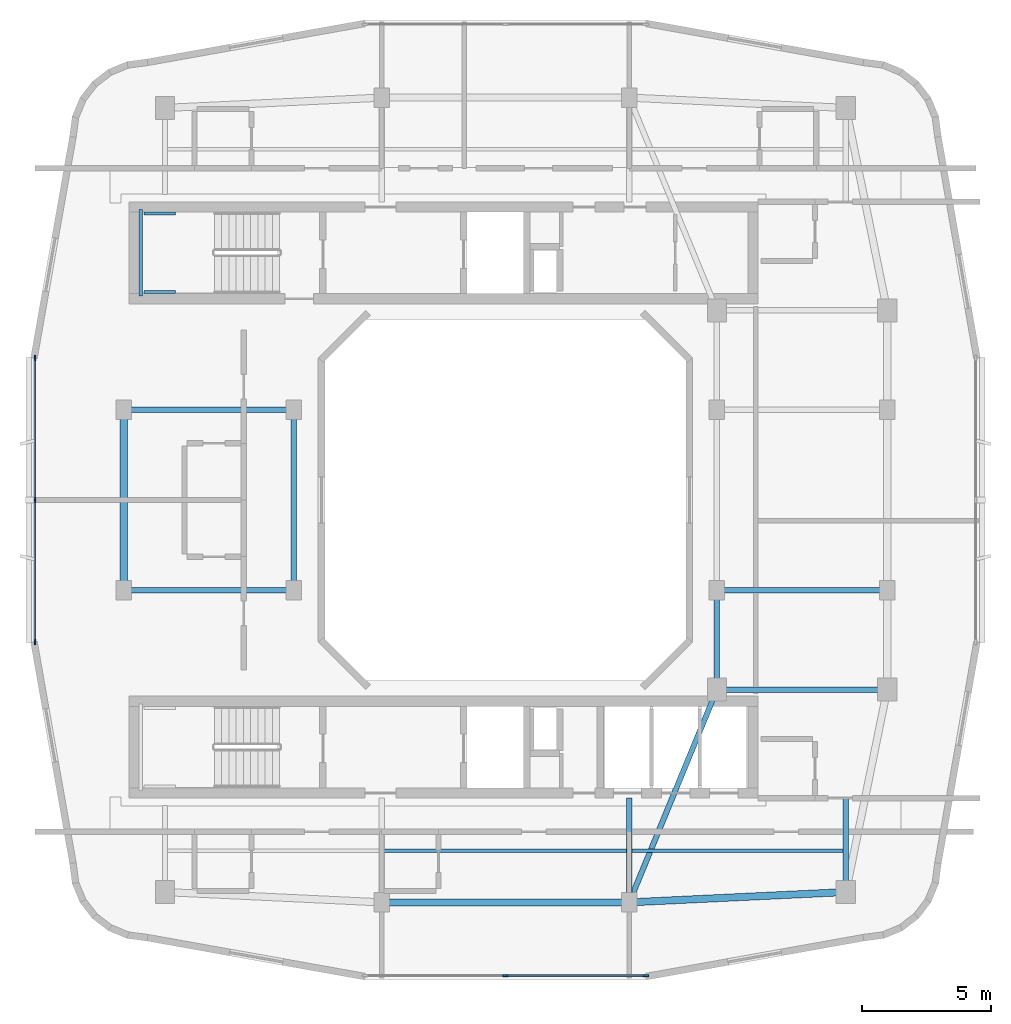
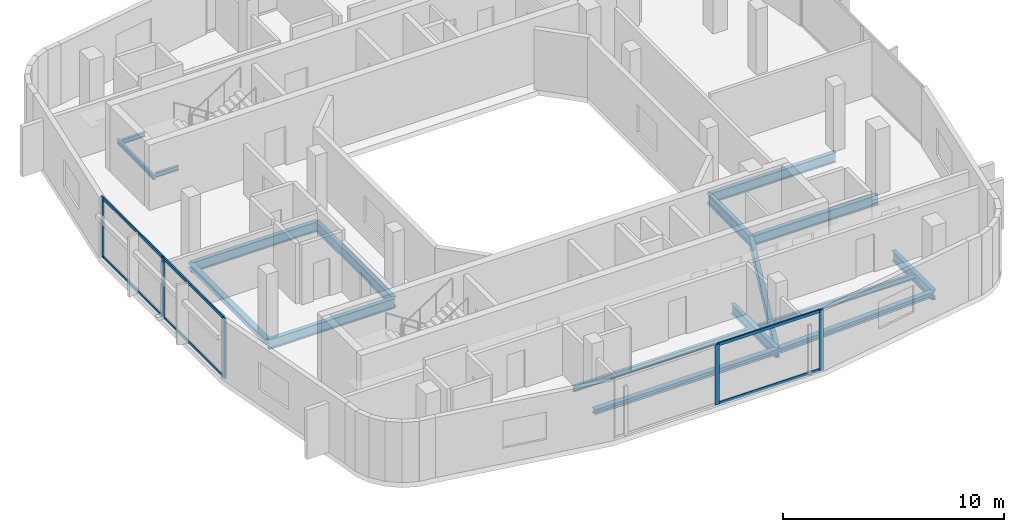
# One storey, part 2 of 10: 17 beams, 11 members, 2 elements without a shape of their own.
"""IFC4 building model written with IfcOpenShell, lengths in metres."""

import ifcopenshell
import ifcopenshell.guid

model = None  # the IFC model being written
_history = None  # IfcOwnerHistory: only IFC2X3 demands one
_inside = {}  # id of a spatial element -> (the spatial element, [elements in it])
_under = {}  # id of a project, library or spatial element -> (it, [spatial elements below it])
_declared = {}  # id of a project -> (the project, [libraries it declares])
_typed = {}  # id of a type object -> (the type object, [elements of that type])
_made_of = {}  # id of a material, layer set ... -> (it, [elements and type objects made of it])


def new_model(schema):
    """Start an empty IFC model of exactly this schema.

    Asked for "IFC4X3", IfcOpenShell would pick the latest addendum, in which some entities
    have other attributes; the version numbers below select the first issue.
    IFC2X3 requires an IfcOwnerHistory on every rooted entity: one is made here for all.
    """
    global model, _history
    if schema == "IFC4X3":
        model = ifcopenshell.file(schema_version=(4, 3, 0, 0))
    else:
        model = ifcopenshell.file(schema=schema)
    _inside.clear()
    _under.clear()
    _declared.clear()
    _typed.clear()
    _made_of.clear()
    _history = None
    if model.schema == "IFC2X3":
        org = make("IfcOrganization", Name="unknown")
        user = make(
            "IfcPersonAndOrganization",
            ThePerson=make("IfcPerson", FamilyName="unknown"),
            TheOrganization=org,
        )
        app = make(
            "IfcApplication",
            ApplicationDeveloper=org,
            Version="unknown",
            ApplicationFullName="unknown",
            ApplicationIdentifier="unknown",
        )
        _history = make(
            "IfcOwnerHistory",
            OwningUser=user,
            OwningApplication=app,
            ChangeAction="ADDED",
            CreationDate=0,
        )
    return model


def make(cls, **values):
    """One entity of the class cls with the attributes given. An attribute that is None is left unset."""
    return model.create_entity(
        cls, **{name: value for name, value in values.items() if value is not None}
    )


def rooted(cls, **values):
    """An entity with a GlobalId (a new one), such as an element, a storey or a relation."""
    return make(cls, GlobalId=ifcopenshell.guid.new(), OwnerHistory=_history, **values)


def si_unit(unit_type, name, prefix=None):
    """IfcSIUnit, for example si_unit("LENGTHUNIT", "METRE", prefix="MILLI")."""
    return make("IfcSIUnit", UnitType=unit_type, Prefix=prefix, Name=name)


def derived_unit(unit_type, elements):
    """IfcDerivedUnit: a product of units, each with its exponent."""
    return make(
        "IfcDerivedUnit",
        Elements=[
            make("IfcDerivedUnitElement", Unit=unit, Exponent=power)
            for unit, power in elements
        ],
        UnitType=unit_type,
    )


def assignment(units):
    """IfcUnitAssignment: the units of a project."""
    return None if units is None else make("IfcUnitAssignment", Units=units)


def point(xyz):
    """IfcCartesianPoint."""
    return None if xyz is None else make("IfcCartesianPoint", Coordinates=xyz)


def direction(xyz):
    """IfcDirection."""
    return None if xyz is None else make("IfcDirection", DirectionRatios=xyz)


def frame(location, z_axis=None, x_axis=None):
    """IfcAxis2Placement3D, a coordinate frame: its origin and axes. An axis left out is left unset."""
    return make(
        "IfcAxis2Placement3D",
        Location=point(location),
        Axis=direction(z_axis),
        RefDirection=direction(x_axis),
    )


def frame_2d(location, x_axis=None):
    """IfcAxis2Placement2D, a coordinate frame in the plane: its origin and x axis."""
    return make(
        "IfcAxis2Placement2D", Location=point(location), RefDirection=direction(x_axis)
    )


def origin():
    """The frame at (0, 0, 0) with its axes left unset."""
    return frame((0.0, 0.0, 0.0))


def origin_2d():
    """The frame at (0, 0) in the plane with its x axis left unset."""
    return frame_2d((0.0, 0.0))


def place(relative_to, where):
    """IfcLocalPlacement: puts the frame where relative to a parent placement (None: the world)."""
    return make(
        "IfcLocalPlacement", PlacementRelTo=relative_to, RelativePlacement=where
    )


def context(
    kind, dimensions, precision=None, world=None, true_north=None, identifier=None
):
    """IfcGeometricRepresentationContext, for example the 3D "Model" context."""
    return make(
        "IfcGeometricRepresentationContext",
        ContextIdentifier=identifier,
        ContextType=kind,
        CoordinateSpaceDimension=dimensions,
        Precision=precision,
        WorldCoordinateSystem=world,
        TrueNorth=true_north,
    )


def subcontext(parent, identifier, kind, view, scale=None):
    """IfcGeometricRepresentationSubContext, for example "Body" below "Model"."""
    return make(
        "IfcGeometricRepresentationSubContext",
        ContextIdentifier=identifier,
        ContextType=kind,
        ParentContext=parent,
        TargetScale=scale,
        TargetView=view,
    )


def project(units=None, contexts=None):
    """IfcProject with its units and contexts."""
    return rooted(
        "IfcProject",
        Name="project",
        RepresentationContexts=contexts,
        UnitsInContext=assignment(units),
    )


def spatial(cls, under=None, at=None, **own):
    """A site, building, storey or space (cls), placed at a placement, below another one or the project."""
    s = rooted(cls, ObjectPlacement=at, **own)
    if under is not None:
        _under.setdefault(under.id(), (under, []))[1].append(s)
    return s


def profile(cls, at=None, kind="AREA", **sizes):
    """A parametric profile (cls). Its sizes go by their IFC names, for example OverallWidth=200.0."""
    return make(cls, ProfileType=kind, Position=at, **sizes)


def rectangle(**sizes):
    """IfcRectangleProfileDef."""
    return profile("IfcRectangleProfileDef", **sizes)


def i_section(**sizes):
    """IfcIShapeProfileDef."""
    return profile("IfcIShapeProfileDef", **sizes)


def extrude(swept, where, along, depth):
    """IfcExtrudedAreaSolid: the profile swept, set in the frame where, extruded along a direction by depth."""
    return make(
        "IfcExtrudedAreaSolid",
        SweptArea=swept,
        Position=where,
        ExtrudedDirection=direction(along),
        Depth=depth,
    )


def shape(context_of_items, identifier, shape_type, items):
    """IfcShapeRepresentation: the items that make up one representation, for example the "Body"."""
    return make(
        "IfcShapeRepresentation",
        ContextOfItems=context_of_items,
        RepresentationIdentifier=identifier,
        RepresentationType=shape_type,
        Items=items,
    )


def material(Name=None, Category=None):
    """IfcMaterial."""
    return make("IfcMaterial", Name=Name, Category=Category)


def layer(
    of_material, thickness, ventilated=None, Name=None, Category=None, Priority=None
):
    """IfcMaterialLayer: one layer of a wall or slab, of a material (None: an air gap)."""
    return make(
        "IfcMaterialLayer",
        Material=of_material,
        LayerThickness=thickness,
        IsVentilated=ventilated,
        Name=Name,
        Category=Category,
        Priority=Priority,
    )


def layer_set(layers, Name=None):
    """IfcMaterialLayerSet."""
    return make("IfcMaterialLayerSet", MaterialLayers=layers, LayerSetName=Name)


def material_profile(
    of_material, cross_section, Name=None, Category=None, Priority=None
):
    """IfcMaterialProfile: a cross section and its material."""
    return make(
        "IfcMaterialProfile",
        Name=Name,
        Material=of_material,
        Profile=cross_section,
        Priority=Priority,
        Category=Category,
    )


def profile_set(profiles, Name=None, composite=None):
    """IfcMaterialProfileSet."""
    return make(
        "IfcMaterialProfileSet",
        Name=Name,
        MaterialProfiles=profiles,
        CompositeProfile=composite,
    )


def made_of(thing, what):
    """Note that an element or type object is made of a material, layer set ...; save() writes the relation."""
    if what is not None:
        _made_of.setdefault(what.id(), (what, []))[1].append(thing)
    return thing


def type_object(cls, material=None, **own):
    """A type object (cls), such as IfcWallType, which elements share."""
    return made_of(rooted(cls, **own), material)


def element(
    cls,
    number,
    at=None,
    inside=None,
    cuts=None,
    type_object=None,
    material=None,
    context=None,
    identifier="Body",
    shape_type=None,
    held_by="IfcProductDefinitionShape",
    body=None,
    shapes=None,
    **own,
):
    """One element of the class cls, such as IfcWall. Its Tag is "e" and its number.

    at: its placement. inside: the storey or other place that contains it. cuts: it is an
    opening in that element (IfcRelVoidsElement). A single representation is given by context,
    identifier, shape_type and body (its items); several are given by shapes. held_by: the class
    of the entity that holds the representations. save() writes the other relations.
    """
    e = rooted(cls, Tag="e%d" % number, ObjectPlacement=at, **own)
    if body is not None:
        shapes = [shape(context, identifier, shape_type, body)]
    if shapes is not None:
        e.Representation = make(held_by, Representations=shapes)
    if inside is not None:
        _inside.setdefault(inside.id(), (inside, []))[1].append(e)
    if cuts is not None:
        rooted(
            "IfcRelVoidsElement", RelatingBuildingElement=cuts, RelatedOpeningElement=e
        )
    if type_object is not None:
        _typed.setdefault(type_object.id(), (type_object, []))[1].append(e)
    return made_of(e, material)


def aggregate(whole, parts):
    """IfcRelAggregates: a whole, such as a stair, and the parts it consists of."""
    return rooted("IfcRelAggregates", RelatingObject=whole, RelatedObjects=parts)


def save(model, path):
    """Write the relations noted so far, then the file.

    IfcRelAggregates (storeys below a building ...), IfcRelContainedInSpatialStructure (elements
    in a storey), IfcRelDefinesByType, IfcRelAssociatesMaterial and IfcRelDeclares: one each for
    every whole, place, type object, material and project.
    """
    for whole, parts in _under.values():
        aggregate(whole, parts)
    for where, things in _inside.values():
        rooted(
            "IfcRelContainedInSpatialStructure",
            RelatedElements=things,
            RelatingStructure=where,
        )
    for kind, things in _typed.values():
        rooted("IfcRelDefinesByType", RelatedObjects=things, RelatingType=kind)
    for what, things in _made_of.values():
        rooted("IfcRelAssociatesMaterial", RelatedObjects=things, RelatingMaterial=what)
    for by, libraries in _declared.values():
        rooted("IfcRelDeclares", RelatingContext=by, RelatedDefinitions=libraries)
    model.write(path)


model = new_model("IFC4")

# Units and contexts
model_context = context("Model", 3, precision=1e-05, world=origin(), true_north=direction((0.0, 1.0)))
body_context = subcontext(model_context, "Body", "Model", "MODEL_VIEW")
ifc_project = project(units=[si_unit("LENGTHUNIT", "METRE"), si_unit("AREAUNIT", "SQUARE_METRE"), si_unit("VOLUMEUNIT", "CUBIC_METRE"), si_unit("PLANEANGLEUNIT", "RADIAN"), si_unit("MASSUNIT", "GRAM", prefix="KILO"), derived_unit("THERMALTRANSMITTANCEUNIT", [(si_unit("POWERUNIT", "WATT"), 1), (si_unit("LENGTHUNIT", "METRE"), -2), (si_unit("THERMODYNAMICTEMPERATUREUNIT", "KELVIN"), -1)])], contexts=[model_context])

# Site, building, storey
site_placement = place(None, origin())
site = spatial("IfcSite", under=ifc_project, at=site_placement, CompositionType="ELEMENT")
building_placement = place(site_placement, origin())
building = spatial("IfcBuilding", under=site, at=building_placement, Name="Kivonza Crest Hotel", CompositionType="ELEMENT")
storey_placement = place(building_placement, frame((0.0, 0.0, 246.800048828125)))
storey = spatial("IfcBuildingStorey", under=building, at=storey_placement, Name="L67", CompositionType="ELEMENT", Elevation=246.800048828125)

# Beams
ifc_material_1 = material(Name="Steel S355", Category="steel")
ifc_material_profile_1 = material_profile(ifc_material_1, i_section(OverallWidth=0.280029296875, OverallDepth=0.280029296875, WebThickness=0.010498046875, FlangeThickness=0.01806640625, FilletRadius=0.02392578125, at=origin_2d()), Name="HEB 280")
ifc_profile_set_1 = profile_set([ifc_material_profile_1], Name="Steel S355")
beam_type_1 = type_object("IfcBeamType", Name="BM-HEB280", PredefinedType="SPANDREL", material=ifc_profile_set_1)
beam_1_placement = place(storey_placement, frame((16.199951171875, 9.39990234375, -0.420166015625), z_axis=(1.0, 0.0, 0.0), x_axis=(0.0, 1.0, 0.0)))
element("IfcBeam", 1, at=beam_1_placement, inside=storey, type_object=beam_type_1, Name="Tower T1 L67 perimeter spandrel S1-S2", PredefinedType="SPANDREL", context=body_context, shape_type="SweptSolid", body=[
    extrude(i_section(OverallWidth=0.280029296875, OverallDepth=0.280029296875, WebThickness=0.010498046875, FlangeThickness=0.01806640625, FilletRadius=0.02392578125, at=origin_2d()), origin(), (0.0, 0.0, 1.0), 9.60009765625),
])
beam_2_placement = place(storey_placement, frame((25.800048828125, 9.39990234375, -0.420166015625), z_axis=(0.998867283688, 0.047583080799, 0.0), x_axis=(-0.047583080799, 0.998867283688, 0.0)))
element("IfcBeam", 2, at=beam_2_placement, inside=storey, type_object=beam_type_1, Name="Tower T1 L67 perimeter spandrel S2-SE", PredefinedType="SPANDREL", context=body_context, shape_type="SweptSolid", body=[
    extrude(i_section(OverallWidth=0.280029296875, OverallDepth=0.280029296875, WebThickness=0.010498046875, FlangeThickness=0.01806640625, FilletRadius=0.02392578125, at=origin_2d()), origin(), (0.0, 0.0, 1.0), 8.409423828125),
])
beam_3_placement = place(storey_placement, frame((6.199951171875, 28.5, -0.420166015625), z_axis=(0.0, -1.0, 0.0), x_axis=(1.0, 0.0, 0.0)))
element("IfcBeam", 3, at=beam_3_placement, inside=storey, type_object=beam_type_1, Name="Tower T1 L67 perimeter spandrel W2-W1", PredefinedType="SPANDREL", context=body_context, shape_type="SweptSolid", body=[
    extrude(i_section(OverallWidth=0.280029296875, OverallDepth=0.280029296875, WebThickness=0.010498046875, FlangeThickness=0.01806640625, FilletRadius=0.02392578125, at=origin_2d()), origin(), (0.0, 0.0, 1.0), 7.0),
])
ifc_material_profile_2 = material_profile(ifc_material_1, i_section(OverallWidth=0.14990234375, OverallDepth=0.300048828125, WebThickness=0.007080078125, FlangeThickness=0.0107421875, FilletRadius=0.014892578125, at=origin_2d()), Name="IPE 300")
ifc_profile_set_2 = profile_set([ifc_material_profile_2], Name="Steel S355")
beam_type_2 = type_object("IfcBeamType", Name="BM-IPE300", PredefinedType="JOIST", material=ifc_profile_set_2)
beam_4_placement = place(storey_placement, frame((16.280029296875, 11.39990234375, -0.429931640625), z_axis=(1.0, 0.0, 0.0), x_axis=(0.0, 1.0, 0.0)))
element("IfcBeam", 4, at=beam_4_placement, inside=storey, type_object=beam_type_2, Name="Tower T1 L67 South-Mid floor joist", PredefinedType="JOIST", context=body_context, shape_type="SweptSolid", body=[
    extrude(i_section(OverallWidth=0.14990234375, OverallDepth=0.300048828125, WebThickness=0.007080078125, FlangeThickness=0.0107421875, FilletRadius=0.014892578125, at=origin_2d()), origin(), (0.0, 0.0, 1.0), 9.43994140625),
])
beam_5_placement = place(storey_placement, frame((25.8798828125, 11.39990234375, -0.429931640625), z_axis=(1.0, 0.0, 0.0), x_axis=(0.0, 1.0, 0.0)))
element("IfcBeam", 5, at=beam_5_placement, inside=storey, type_object=beam_type_2, Name="Tower T1 L67 South-East floor joist", PredefinedType="JOIST", context=body_context, shape_type="SweptSolid", body=[
    extrude(i_section(OverallWidth=0.14990234375, OverallDepth=0.300048828125, WebThickness=0.007080078125, FlangeThickness=0.0107421875, FilletRadius=0.014892578125, at=origin_2d()), origin(), (0.0, 0.0, 1.0), 8.240234375),
])
ifc_material_profile_3 = material_profile(ifc_material_1, i_section(OverallWidth=0.2099609375, OverallDepth=0.550048828125, WebThickness=0.010986328125, FlangeThickness=0.01708984375, FilletRadius=0.02392578125, at=origin_2d()), Name="IPE 550")
ifc_profile_set_3 = profile_set([ifc_material_profile_3], Name="Steel S355")
beam_type_3 = type_object("IfcBeamType", Name="BM-IPE550", PredefinedType="BEAM", material=ifc_profile_set_3)
for number, where, z_axis, x_axis, name in (
    (6, (6.199951171875, 21.5, -0.554931640625), (1.0, 0.0, 0.0), (0.0, 1.0, 0.0), "Tower T1 L67 primary girder W1-WL1"),
    (7, (6.199951171875, 28.5, -0.554931640625), (1.0, 0.0, 0.0), (0.0, 1.0, 0.0), "Tower T1 L67 primary girder W2-WL2"),
):
    element("IfcBeam", number, at=place(storey_placement, frame(where, z_axis=z_axis, x_axis=x_axis)), inside=storey, type_object=beam_type_3, Name=name, PredefinedType="BEAM", context=body_context, shape_type="SweptSolid", body=[
        extrude(i_section(OverallWidth=0.2099609375, OverallDepth=0.550048828125, WebThickness=0.010986328125, FlangeThickness=0.01708984375, FilletRadius=0.02392578125, at=origin_2d()), origin(), (0.0, 0.0, 1.0), 6.60009765625),
    ])
beam_6_placement = place(storey_placement, frame((12.800048828125, 21.5, -0.554931640625), z_axis=(0.0, 1.0, 0.0), x_axis=(-1.0, 0.0, 0.0)))
element("IfcBeam", 8, at=beam_6_placement, inside=storey, type_object=beam_type_3, Name="Tower T1 L67 primary girder WL1-WL2", PredefinedType="BEAM", context=body_context, shape_type="SweptSolid", body=[
    extrude(i_section(OverallWidth=0.2099609375, OverallDepth=0.550048828125, WebThickness=0.010986328125, FlangeThickness=0.01708984375, FilletRadius=0.02392578125, at=origin_2d()), origin(), (0.0, 0.0, 1.0), 7.0),
])
beam_7_placement = place(storey_placement, frame((25.800048828125, 9.39990234375, -0.554931640625), z_axis=(0.381022260404, 0.924565864109, 0.0), x_axis=(-0.924565864109, 0.381022260404, 0.0)))
element("IfcBeam", 9, at=beam_7_placement, inside=storey, type_object=beam_type_3, Name="Tower T1 L67 primary girder S1-TSE", PredefinedType="BEAM", context=body_context, shape_type="SweptSolid", body=[
    extrude(i_section(OverallWidth=0.2099609375, OverallDepth=0.550048828125, WebThickness=0.010986328125, FlangeThickness=0.01708984375, FilletRadius=0.02392578125, at=origin_2d()), origin(), (0.0, 0.0, 1.0), 8.923095703125),
])
beam_8_placement = place(storey_placement, frame((29.199951171875, 17.64990234375, -0.554931640625), z_axis=(1.0, 0.0, 0.0), x_axis=(0.0, 1.0, 0.0)))
element("IfcBeam", 10, at=beam_8_placement, inside=storey, type_object=beam_type_3, Name="Tower T1 L67 primary girder TSE-PSE", PredefinedType="BEAM", context=body_context, shape_type="SweptSolid", body=[
    extrude(i_section(OverallWidth=0.2099609375, OverallDepth=0.550048828125, WebThickness=0.010986328125, FlangeThickness=0.01708984375, FilletRadius=0.02392578125, at=origin_2d()), origin(), (0.0, 0.0, 1.0), 6.60009765625),
])
beam_9_placement = place(storey_placement, frame((29.199951171875, 17.64990234375, -0.554931640625), z_axis=(0.0, 1.0, 0.0), x_axis=(-1.0, 0.0, 0.0)))
element("IfcBeam", 11, at=beam_9_placement, inside=storey, type_object=beam_type_3, Name="Tower T1 L67 primary girder TSE-WR1", PredefinedType="BEAM", context=body_context, shape_type="SweptSolid", body=[
    extrude(i_section(OverallWidth=0.2099609375, OverallDepth=0.550048828125, WebThickness=0.010986328125, FlangeThickness=0.01708984375, FilletRadius=0.02392578125, at=origin_2d()), origin(), (0.0, 0.0, 1.0), 3.85009765625),
])
beam_10_placement = place(storey_placement, frame((29.199951171875, 21.5, -0.554931640625), z_axis=(1.0, 0.0, 0.0), x_axis=(0.0, 1.0, 0.0)))
element("IfcBeam", 12, at=beam_10_placement, inside=storey, type_object=beam_type_3, Name="Tower T1 L67 primary girder WR1-E1", PredefinedType="BEAM", context=body_context, shape_type="SweptSolid", body=[
    extrude(i_section(OverallWidth=0.2099609375, OverallDepth=0.550048828125, WebThickness=0.010986328125, FlangeThickness=0.01708984375, FilletRadius=0.02392578125, at=origin_2d()), origin(), (0.0, 0.0, 1.0), 6.60009765625),
])
beam_11_placement = place(storey_placement, frame((25.800048828125, 9.39990234375, -0.554931640625), z_axis=(0.0, 1.0, 0.0), x_axis=(-1.0, 0.0, 0.0)))
element("IfcBeam", 13, at=beam_11_placement, inside=storey, type_object=beam_type_3, Name="Tower T1 L67 radial core girder RS2", PredefinedType="BEAM", context=body_context, shape_type="SweptSolid", body=[
    extrude(i_section(OverallWidth=0.2099609375, OverallDepth=0.550048828125, WebThickness=0.010986328125, FlangeThickness=0.01708984375, FilletRadius=0.02392578125, at=origin_2d()), origin(), (0.0, 0.0, 1.0), 4.050048828125),
])
beam_12_placement = place(storey_placement, frame((34.199951171875, 9.800048828125, -0.554931640625), z_axis=(0.0, 1.0, 0.0), x_axis=(-1.0, 0.0, 0.0)))
element("IfcBeam", 14, at=beam_12_placement, inside=storey, type_object=beam_type_3, Name="Tower T1 L67 radial core girder RSE", PredefinedType="BEAM", context=body_context, shape_type="SweptSolid", body=[
    extrude(i_section(OverallWidth=0.2099609375, OverallDepth=0.550048828125, WebThickness=0.010986328125, FlangeThickness=0.01708984375, FilletRadius=0.02392578125, at=origin_2d()), origin(), (0.0, 0.0, 1.0), 3.64990234375),
])
ifc_material_profile_4 = material_profile(ifc_material_1, i_section(OverallWidth=0.1201171875, OverallDepth=0.239990234375, WebThickness=0.006103515625, FlangeThickness=0.009765625, FilletRadius=0.014892578125, at=origin_2d()), Name="IPE 240")
ifc_profile_set_4 = profile_set([ifc_material_profile_4], Name="Steel S355")
beam_type_4 = type_object("IfcBeamType", Name="BM-LLDG-240", PredefinedType="BEAM", material=ifc_profile_set_4)
beam_13_placement = place(storey_placement, frame((6.860107421875, 32.89990234375, 1.47998046875), z_axis=(0.0, 1.0, 0.0), x_axis=(-1.0, 0.0, 0.0)))
element("IfcBeam", 15, at=beam_13_placement, inside=storey, type_object=beam_type_4, Name="Stair ST-T1-N L67 West landing corbel", PredefinedType="BEAM", context=body_context, shape_type="SweptSolid", body=[
    extrude(i_section(OverallWidth=0.1201171875, OverallDepth=0.239990234375, WebThickness=0.006103515625, FlangeThickness=0.009765625, FilletRadius=0.014892578125, at=origin_2d()), origin(), (0.0, 0.0, 1.0), 3.360107421875),
])
for number, where, z_axis, x_axis, name in (
    (16, (6.989990234375, 33.06005859375, 1.47998046875), (1.0, 0.0, 0.0), (0.0, 1.0, 0.0), "Stair ST-T1-N L67 South landing corbel"),
    (17, (6.989990234375, 36.10009765625, 1.47998046875), (1.0, 0.0, 0.0), (0.0, 1.0, 0.0), "Stair ST-T1-N L67 North landing corbel"),
):
    element("IfcBeam", number, at=place(storey_placement, frame(where, z_axis=z_axis, x_axis=x_axis)), inside=storey, type_object=beam_type_4, Name=name, PredefinedType="BEAM", context=body_context, shape_type="SweptSolid", body=[
        extrude(i_section(OverallWidth=0.1201171875, OverallDepth=0.239990234375, WebThickness=0.006103515625, FlangeThickness=0.009765625, FilletRadius=0.014892578125, at=origin_2d()), origin(), (0.0, 0.0, 1.0), 1.2099609375),
    ])

# Curtain wall, members
ifc_material_2 = material(Name="Anodised bronze aluminium and low-E double glazing", Category="aluminium")
ifc_layer = layer(ifc_material_2, 0.179931640625)
ifc_layer_set = layer_set([ifc_layer], Name="Anodised bronze aluminium and low-E double glazing")
curtain_wall_type = type_object("IfcCurtainWallType", Name="CW-SYS-3", PredefinedType="NOTDEFINED", material=ifc_layer_set)
curtain_wall_1_placement = place(storey_placement, origin())
curtain_wall_1 = element("IfcCurtainWall", 18, at=curtain_wall_1_placement, inside=storey, type_object=curtain_wall_type, Name="L67 unitised curtain wall CW-T1-L67-08", PredefinedType="NOTDEFINED")
ifc_material_3 = material(Name="Anodised bronze aluminium", Category="aluminium")
ifc_material_profile_5 = material_profile(ifc_material_3, rectangle(XDim=0.074951171875, YDim=0.219970703125, at=origin_2d()), Name="CW-M 75x220")
ifc_profile_set_5 = profile_set([ifc_material_profile_5], Name="Anodised bronze aluminium")
member_type_1 = type_object("IfcMemberType", Name="CW-MUL-75x220", PredefinedType="MULLION", material=ifc_profile_set_5)
member_1_placement = place(storey_placement, frame((21.0, 6.56005859375, 0.0), z_axis=(0.0, 0.0, 1.0), x_axis=(0.0, 1.0, 0.0)))
member_1 = element("IfcMember", 19, at=member_1_placement, type_object=member_type_1, Name="CW-3 mullion 2", PredefinedType="MULLION", context=body_context, shape_type="SweptSolid", body=[
    extrude(rectangle(XDim=0.074951171875, YDim=0.219970703125, at=origin_2d()), origin(), (0.0, 0.0, 1.0), 3.320068359375),
])
member_2_placement = place(storey_placement, frame((26.4423828125, 6.56005859375, 0.0), z_axis=(0.0, 0.0, 1.0), x_axis=(0.0, 1.0, 0.0)))
member_2 = element("IfcMember", 20, at=member_2_placement, type_object=member_type_1, Name="CW-3 mullion 3", PredefinedType="MULLION", context=body_context, shape_type="SweptSolid", body=[
    extrude(rectangle(XDim=0.074951171875, YDim=0.219970703125, at=origin_2d()), origin(), (0.0, 0.0, 1.0), 3.320068359375),
])

curtain_wall_2_placement = place(storey_placement, origin())
curtain_wall_2 = element("IfcCurtainWall", 21, at=curtain_wall_2_placement, inside=storey, type_object=curtain_wall_type, Name="L67 unitised curtain wall CW-T1-L67-35", PredefinedType="NOTDEFINED")
member_3_placement = place(storey_placement, frame((2.760009765625, 30.50244140625, 0.0), z_axis=(0.0, 0.0, 1.0), x_axis=(1.0, 0.0, 0.0)))
member_3 = element("IfcMember", 22, at=member_3_placement, type_object=member_type_1, Name="CW-3 mullion 1", PredefinedType="MULLION", context=body_context, shape_type="SweptSolid", body=[
    extrude(rectangle(XDim=0.074951171875, YDim=0.219970703125, at=origin_2d()), origin(), (0.0, 0.0, 1.0), 3.320068359375),
])
member_4_placement = place(storey_placement, frame((2.760009765625, 25.0, 0.0), z_axis=(0.0, 0.0, 1.0), x_axis=(1.0, 0.0, 0.0)))
member_4 = element("IfcMember", 23, at=member_4_placement, type_object=member_type_1, Name="CW-3 mullion 2", PredefinedType="MULLION", context=body_context, shape_type="SweptSolid", body=[
    extrude(rectangle(XDim=0.074951171875, YDim=0.219970703125, at=origin_2d()), origin(), (0.0, 0.0, 1.0), 3.320068359375),
])
member_5_placement = place(storey_placement, frame((2.760009765625, 19.49755859375, 0.0), z_axis=(0.0, 0.0, 1.0), x_axis=(1.0, 0.0, 0.0)))
member_5 = element("IfcMember", 24, at=member_5_placement, type_object=member_type_1, Name="CW-3 mullion 3", PredefinedType="MULLION", context=body_context, shape_type="SweptSolid", body=[
    extrude(rectangle(XDim=0.074951171875, YDim=0.219970703125, at=origin_2d()), origin(), (0.0, 0.0, 1.0), 3.320068359375),
])

# Member
ifc_material_profile_6 = material_profile(ifc_material_3, rectangle(XDim=0.074951171875, YDim=0.159912109375, at=origin_2d()), Name="CW-T 75x160")
ifc_profile_set_6 = profile_set([ifc_material_profile_6], Name="Anodised bronze aluminium")
member_type_2 = type_object("IfcMemberType", Name="CW-TRN-75x160", PredefinedType="USERDEFINED", material=ifc_profile_set_6)
member_6_placement = place(storey_placement, frame((21.03759765625, 6.56005859375, 0.037353515625), z_axis=(1.0, 0.0, 0.0), x_axis=(0.0, 1.0, 0.0)))
member_6 = element("IfcMember", 25, at=member_6_placement, type_object=member_type_2, Name="CW-3 transom 2.1", ObjectType="TRANSOM", PredefinedType="USERDEFINED", context=body_context, shape_type="SweptSolid", body=[
    extrude(rectangle(XDim=0.074951171875, YDim=0.159912109375, at=origin_2d()), origin(), (0.0, 0.0, 1.0), 5.367431640625),
])

member_7_placement = place(storey_placement, frame((21.03759765625, 6.56005859375, 3.282470703125), z_axis=(1.0, 0.0, 0.0), x_axis=(0.0, 1.0, 0.0)))
member_7 = element("IfcMember", 26, at=member_7_placement, type_object=member_type_2, Name="CW-3 transom 2.2", ObjectType="TRANSOM", PredefinedType="USERDEFINED", context=body_context, shape_type="SweptSolid", body=[
    extrude(rectangle(XDim=0.074951171875, YDim=0.159912109375, at=origin_2d()), origin(), (0.0, 0.0, 1.0), 5.367431640625),
])

aggregate(curtain_wall_1, [member_1, member_2, member_6, member_7])

member_8_placement = place(storey_placement, frame((2.760009765625, 30.465087890625, 0.037353515625), z_axis=(0.0, -1.0, 0.0), x_axis=(1.0, 0.0, 0.0)))
member_8 = element("IfcMember", 27, at=member_8_placement, type_object=member_type_2, Name="CW-3 transom 1.1", ObjectType="TRANSOM", PredefinedType="USERDEFINED", context=body_context, shape_type="SweptSolid", body=[
    extrude(rectangle(XDim=0.074951171875, YDim=0.159912109375, at=origin_2d()), origin(), (0.0, 0.0, 1.0), 5.427490234375),
])

member_9_placement = place(storey_placement, frame((2.760009765625, 30.465087890625, 3.282470703125), z_axis=(0.0, -1.0, 0.0), x_axis=(1.0, 0.0, 0.0)))
member_9 = element("IfcMember", 28, at=member_9_placement, type_object=member_type_2, Name="CW-3 transom 1.2", ObjectType="TRANSOM", PredefinedType="USERDEFINED", context=body_context, shape_type="SweptSolid", body=[
    extrude(rectangle(XDim=0.074951171875, YDim=0.159912109375, at=origin_2d()), origin(), (0.0, 0.0, 1.0), 5.427490234375),
])

member_10_placement = place(storey_placement, frame((2.760009765625, 24.96240234375, 0.037353515625), z_axis=(0.0, -1.0, 0.0), x_axis=(1.0, 0.0, 0.0)))
member_10 = element("IfcMember", 29, at=member_10_placement, type_object=member_type_2, Name="CW-3 transom 2.1", ObjectType="TRANSOM", PredefinedType="USERDEFINED", context=body_context, shape_type="SweptSolid", body=[
    extrude(rectangle(XDim=0.074951171875, YDim=0.159912109375, at=origin_2d()), origin(), (0.0, 0.0, 1.0), 5.427490234375),
])

member_11_placement = place(storey_placement, frame((2.760009765625, 24.96240234375, 3.282470703125), z_axis=(0.0, -1.0, 0.0), x_axis=(1.0, 0.0, 0.0)))
member_11 = element("IfcMember", 30, at=member_11_placement, type_object=member_type_2, Name="CW-3 transom 2.2", ObjectType="TRANSOM", PredefinedType="USERDEFINED", context=body_context, shape_type="SweptSolid", body=[
    extrude(rectangle(XDim=0.074951171875, YDim=0.159912109375, at=origin_2d()), origin(), (0.0, 0.0, 1.0), 5.427490234375),
])

aggregate(curtain_wall_2, [member_3, member_4, member_5, member_8, member_9, member_10, member_11])

save(model, "model.ifc")
